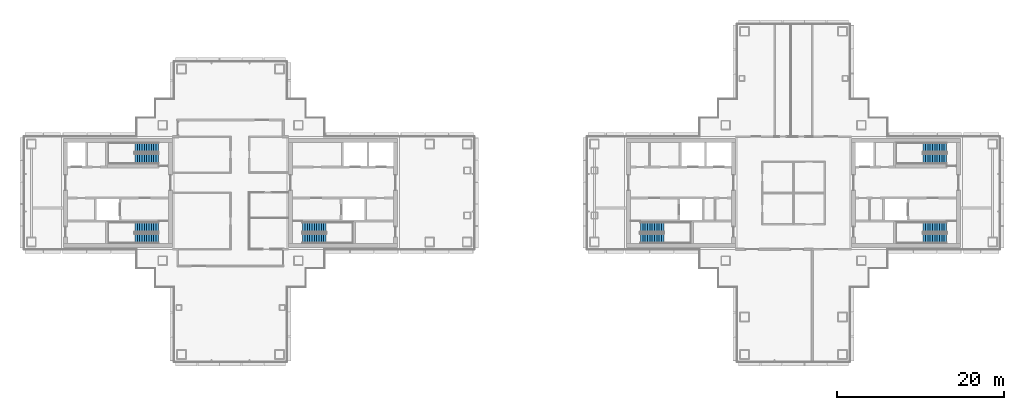
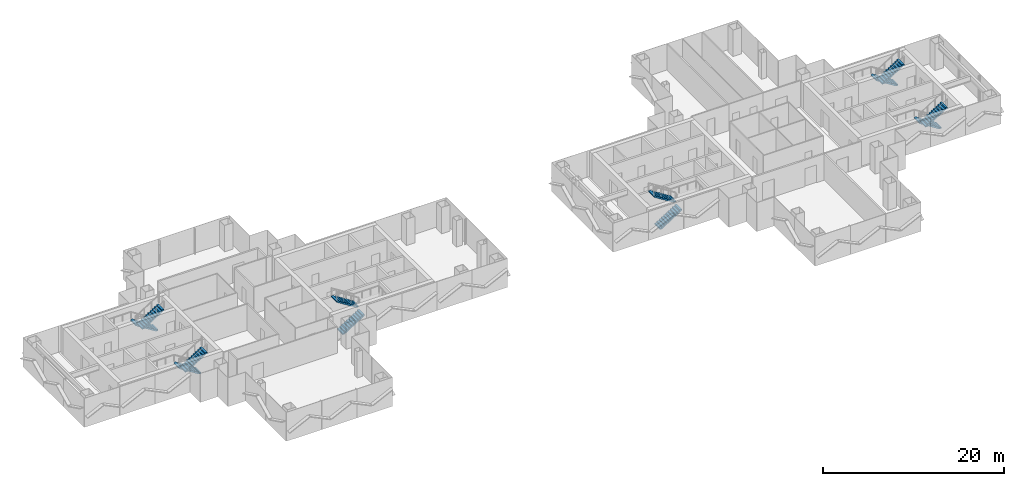
# One storey, part 13 of 16: 12 stair flights, 6 elements without a shape of their own.
"""IFC4 building model written with IfcOpenShell, lengths in metres."""

from ifc_helpers import new_model, si_unit, direction, frame, origin, place, context, subcontext, project, spatial, polyline, outline, extrude, material, type_object, element, aggregate, save


model = new_model("IFC4")

# Units and contexts
model_context = context("Model", 3, precision=1e-05, world=origin(), true_north=direction((0.0, 1.0)))
body_context = subcontext(model_context, "Body", "Model", "MODEL_VIEW")
ifc_project = project(units=[si_unit("LENGTHUNIT", "METRE"), si_unit("AREAUNIT", "SQUARE_METRE"), si_unit("VOLUMEUNIT", "CUBIC_METRE"), si_unit("PLANEANGLEUNIT", "RADIAN"), si_unit("MASSUNIT", "GRAM", prefix="KILO")], contexts=[model_context])

# Site, building, storey
site_placement = place(None, origin())
site = spatial("IfcSite", under=ifc_project, at=site_placement, CompositionType="ELEMENT")
building_placement = place(site_placement, origin())
building = spatial("IfcBuilding", under=site, at=building_placement, Name="Shamsa Quay Exchange Towers", CompositionType="ELEMENT")
storey_placement = place(building_placement, frame((0.0, 0.0, 146.699951171875)))
storey = spatial("IfcBuildingStorey", under=building, at=storey_placement, Name="L34", CompositionType="ELEMENT", Elevation=146.699951171875)

# Stair, stair flights
ifc_material = material(Name="Concrete C40/50", Category="concrete")
stair_type = type_object("IfcStairType", Name="EXIT STAIR 22 RISERS 177 MM", PredefinedType="HALF_TURN_STAIR", material=ifc_material)
stair_1_placement = place(storey_placement, origin())
stair_1 = element("IfcStair", 1, at=stair_1_placement, inside=storey, type_object=stair_type, Name="L34 Exit stair ST1", PredefinedType="HALF_TURN_STAIR")
stair_flight_type = type_object("IfcStairFlightType", Name="EXIT STAIR FLIGHT 11 RISERS 177 MM", PredefinedType="STRAIGHT", material=ifc_material)
stair_flight_1_placement = place(storey_placement, frame((-25.10009765625, -5.449951171875, 0.0)))
stair_flight_1 = element("IfcStairFlight", 2, at=stair_flight_1_placement, type_object=stair_flight_type, Name="ST1 flight 1", NumberOfRisers=11, NumberOfTreads=10, PredefinedType="STRAIGHT", RiserHeight=0.177272727, TreadLength=0.28, context=body_context, shape_type="SweptSolid", body=[
    extrude(outline(polyline([(0.0, 0.0), (0.0, 0.17724609375), (0.280029296875, 0.17724609375), (0.280029296875, 0.3544921875), (0.56005859375, 0.3544921875), (0.56005859375, 0.53173828125), (0.840087890625, 0.53173828125), (0.840087890625, 0.708984375), (1.1201171875, 0.708984375), (1.1201171875, 0.886474609375), (1.39990234375, 0.886474609375), (1.39990234375, 1.063720703125), (1.679931640625, 1.063720703125), (1.679931640625, 1.240966796875), (1.9599609375, 1.240966796875), (1.9599609375, 1.418212890625), (2.239990234375, 1.418212890625), (2.239990234375, 1.595458984375), (2.52001953125, 1.595458984375), (2.52001953125, 1.772705078125), (2.800048828125, 1.772705078125), (2.800048828125, 1.949951171875), (2.800048828125, 1.607177734375), (0.261474609375, 0.0), (0.0, 0.0)])), frame((0.0, 0.60009765625, 0.0), z_axis=(0.0, -1.0, 0.0), x_axis=(1.0, 0.0, 0.0)), (0.0, 0.0, 1.0), 1.199951171875),
])
stair_flight_2_placement = place(storey_placement, frame((-22.300048828125, -4.10009765625, 1.949951171875), z_axis=(0.0, 0.0, 1.0), x_axis=(-1.0, 0.0, 0.0)))
stair_flight_2 = element("IfcStairFlight", 3, at=stair_flight_2_placement, type_object=stair_flight_type, Name="ST1 flight 2", NumberOfRisers=11, NumberOfTreads=10, PredefinedType="STRAIGHT", RiserHeight=0.177272727, TreadLength=0.28, context=body_context, shape_type="SweptSolid", body=[
    extrude(outline(polyline([(0.0, 0.0), (0.0, 0.17724609375), (0.280029296875, 0.17724609375), (0.280029296875, 0.3544921875), (0.56005859375, 0.3544921875), (0.56005859375, 0.53173828125), (0.840087890625, 0.53173828125), (0.840087890625, 0.708984375), (1.1201171875, 0.708984375), (1.1201171875, 0.886474609375), (1.39990234375, 0.886474609375), (1.39990234375, 1.063720703125), (1.679931640625, 1.063720703125), (1.679931640625, 1.240966796875), (1.9599609375, 1.240966796875), (1.9599609375, 1.418212890625), (2.239990234375, 1.418212890625), (2.239990234375, 1.595458984375), (2.52001953125, 1.595458984375), (2.52001953125, 1.772705078125), (2.800048828125, 1.772705078125), (2.800048828125, 1.949951171875), (2.800048828125, 1.607177734375), (0.261474609375, 0.0), (0.0, 0.0)])), frame((0.0, 0.60009765625, 0.0), z_axis=(0.0, -1.0, 0.0), x_axis=(1.0, 0.0, 0.0)), (0.0, 0.0, 1.0), 1.199951171875),
])
aggregate(stair_1, [stair_flight_1, stair_flight_2])

stair_2_placement = place(storey_placement, origin())
stair_2 = element("IfcStair", 4, at=stair_2_placement, inside=storey, type_object=stair_type, Name="L34 Exit stair ST2", PredefinedType="HALF_TURN_STAIR")
stair_flight_3_placement = place(storey_placement, frame((-42.39990234375, -4.10009765625, 0.0), z_axis=(0.0, 0.0, 1.0), x_axis=(-1.0, 0.0, 0.0)))
stair_flight_3 = element("IfcStairFlight", 5, at=stair_flight_3_placement, type_object=stair_flight_type, Name="ST2 flight 1", NumberOfRisers=11, NumberOfTreads=10, PredefinedType="STRAIGHT", RiserHeight=0.177272727, TreadLength=0.28, context=body_context, shape_type="SweptSolid", body=[
    extrude(outline(polyline([(0.0, 0.0), (0.0, 0.17724609375), (0.280029296875, 0.17724609375), (0.280029296875, 0.3544921875), (0.56005859375, 0.3544921875), (0.56005859375, 0.53173828125), (0.840087890625, 0.53173828125), (0.840087890625, 0.708984375), (1.1201171875, 0.708984375), (1.1201171875, 0.886474609375), (1.39990234375, 0.886474609375), (1.39990234375, 1.063720703125), (1.679931640625, 1.063720703125), (1.679931640625, 1.240966796875), (1.9599609375, 1.240966796875), (1.9599609375, 1.418212890625), (2.239990234375, 1.418212890625), (2.239990234375, 1.595458984375), (2.52001953125, 1.595458984375), (2.52001953125, 1.772705078125), (2.800048828125, 1.772705078125), (2.800048828125, 1.949951171875), (2.800048828125, 1.607177734375), (0.261474609375, 0.0), (0.0, 0.0)])), frame((0.0, 0.60009765625, 0.0), z_axis=(0.0, -1.0, 0.0), x_axis=(1.0, 0.0, 0.0)), (0.0, 0.0, 1.0), 1.199951171875),
])
stair_flight_4_placement = place(storey_placement, frame((-45.199951171875, -5.449951171875, 1.949951171875)))
stair_flight_4 = element("IfcStairFlight", 6, at=stair_flight_4_placement, type_object=stair_flight_type, Name="ST2 flight 2", NumberOfRisers=11, NumberOfTreads=10, PredefinedType="STRAIGHT", RiserHeight=0.177272727, TreadLength=0.28, context=body_context, shape_type="SweptSolid", body=[
    extrude(outline(polyline([(0.0, 0.0), (0.0, 0.17724609375), (0.280029296875, 0.17724609375), (0.280029296875, 0.3544921875), (0.56005859375, 0.3544921875), (0.56005859375, 0.53173828125), (0.840087890625, 0.53173828125), (0.840087890625, 0.708984375), (1.1201171875, 0.708984375), (1.1201171875, 0.886474609375), (1.39990234375, 0.886474609375), (1.39990234375, 1.063720703125), (1.679931640625, 1.063720703125), (1.679931640625, 1.240966796875), (1.9599609375, 1.240966796875), (1.9599609375, 1.418212890625), (2.239990234375, 1.418212890625), (2.239990234375, 1.595458984375), (2.52001953125, 1.595458984375), (2.52001953125, 1.772705078125), (2.800048828125, 1.772705078125), (2.800048828125, 1.949951171875), (2.800048828125, 1.607177734375), (0.261474609375, 0.0), (0.0, 0.0)])), frame((0.0, 0.60009765625, 0.0), z_axis=(0.0, -1.0, 0.0), x_axis=(1.0, 0.0, 0.0)), (0.0, 0.0, 1.0), 1.199951171875),
])
aggregate(stair_2, [stair_flight_3, stair_flight_4])

stair_3_placement = place(storey_placement, origin())
stair_3 = element("IfcStair", 7, at=stair_3_placement, inside=storey, type_object=stair_type, Name="L34 Exit stair ST3", PredefinedType="HALF_TURN_STAIR")
stair_flight_5_placement = place(storey_placement, frame((-42.39990234375, 5.449951171875, 0.0), z_axis=(0.0, 0.0, 1.0), x_axis=(-1.0, 0.0, 0.0)))
stair_flight_5 = element("IfcStairFlight", 8, at=stair_flight_5_placement, type_object=stair_flight_type, Name="ST3 flight 1", NumberOfRisers=11, NumberOfTreads=10, PredefinedType="STRAIGHT", RiserHeight=0.177272727, TreadLength=0.28, context=body_context, shape_type="SweptSolid", body=[
    extrude(outline(polyline([(0.0, 0.0), (0.0, 0.17724609375), (0.280029296875, 0.17724609375), (0.280029296875, 0.3544921875), (0.56005859375, 0.3544921875), (0.56005859375, 0.53173828125), (0.840087890625, 0.53173828125), (0.840087890625, 0.708984375), (1.1201171875, 0.708984375), (1.1201171875, 0.886474609375), (1.39990234375, 0.886474609375), (1.39990234375, 1.063720703125), (1.679931640625, 1.063720703125), (1.679931640625, 1.240966796875), (1.9599609375, 1.240966796875), (1.9599609375, 1.418212890625), (2.239990234375, 1.418212890625), (2.239990234375, 1.595458984375), (2.52001953125, 1.595458984375), (2.52001953125, 1.772705078125), (2.800048828125, 1.772705078125), (2.800048828125, 1.949951171875), (2.800048828125, 1.607177734375), (0.261474609375, 0.0), (0.0, 0.0)])), frame((0.0, 0.60009765625, 0.0), z_axis=(0.0, -1.0, 0.0), x_axis=(1.0, 0.0, 0.0)), (0.0, 0.0, 1.0), 1.199951171875),
])
stair_flight_6_placement = place(storey_placement, frame((-45.199951171875, 4.10009765625, 1.949951171875)))
stair_flight_6 = element("IfcStairFlight", 9, at=stair_flight_6_placement, type_object=stair_flight_type, Name="ST3 flight 2", NumberOfRisers=11, NumberOfTreads=10, PredefinedType="STRAIGHT", RiserHeight=0.177272727, TreadLength=0.28, context=body_context, shape_type="SweptSolid", body=[
    extrude(outline(polyline([(0.0, 0.0), (0.0, 0.17724609375), (0.280029296875, 0.17724609375), (0.280029296875, 0.3544921875), (0.56005859375, 0.3544921875), (0.56005859375, 0.53173828125), (0.840087890625, 0.53173828125), (0.840087890625, 0.708984375), (1.1201171875, 0.708984375), (1.1201171875, 0.886474609375), (1.39990234375, 0.886474609375), (1.39990234375, 1.063720703125), (1.679931640625, 1.063720703125), (1.679931640625, 1.240966796875), (1.9599609375, 1.240966796875), (1.9599609375, 1.418212890625), (2.239990234375, 1.418212890625), (2.239990234375, 1.595458984375), (2.52001953125, 1.595458984375), (2.52001953125, 1.772705078125), (2.800048828125, 1.772705078125), (2.800048828125, 1.949951171875), (2.800048828125, 1.607177734375), (0.261474609375, 0.0), (0.0, 0.0)])), frame((0.0, 0.60009765625, 0.0), z_axis=(0.0, -1.0, 0.0), x_axis=(1.0, 0.0, 0.0)), (0.0, 0.0, 1.0), 1.199951171875),
])
aggregate(stair_3, [stair_flight_5, stair_flight_6])

stair_4_placement = place(storey_placement, origin())
stair_4 = element("IfcStair", 10, at=stair_4_placement, inside=storey, type_object=stair_type, Name="L34 Exit stair ST4", PredefinedType="HALF_TURN_STAIR")
stair_flight_7_placement = place(storey_placement, frame((15.39990234375, -5.449951171875, 0.0)))
stair_flight_7 = element("IfcStairFlight", 11, at=stair_flight_7_placement, type_object=stair_flight_type, Name="ST4 flight 1", NumberOfRisers=11, NumberOfTreads=10, PredefinedType="STRAIGHT", RiserHeight=0.177272727, TreadLength=0.28, context=body_context, shape_type="SweptSolid", body=[
    extrude(outline(polyline([(0.0, 0.0), (0.0, 0.17724609375), (0.280029296875, 0.17724609375), (0.280029296875, 0.3544921875), (0.56005859375, 0.3544921875), (0.56005859375, 0.53173828125), (0.840087890625, 0.53173828125), (0.840087890625, 0.708984375), (1.1201171875, 0.708984375), (1.1201171875, 0.886474609375), (1.39990234375, 0.886474609375), (1.39990234375, 1.063720703125), (1.679931640625, 1.063720703125), (1.679931640625, 1.240966796875), (1.9599609375, 1.240966796875), (1.9599609375, 1.418212890625), (2.239990234375, 1.418212890625), (2.239990234375, 1.595458984375), (2.52001953125, 1.595458984375), (2.52001953125, 1.772705078125), (2.800048828125, 1.772705078125), (2.800048828125, 1.949951171875), (2.800048828125, 1.607177734375), (0.261474609375, 0.0), (0.0, 0.0)])), frame((0.0, 0.60009765625, 0.0), z_axis=(0.0, -1.0, 0.0), x_axis=(1.0, 0.0, 0.0)), (0.0, 0.0, 1.0), 1.199951171875),
])
stair_flight_8_placement = place(storey_placement, frame((18.199951171875, -4.10009765625, 1.949951171875), z_axis=(0.0, 0.0, 1.0), x_axis=(-1.0, 0.0, 0.0)))
stair_flight_8 = element("IfcStairFlight", 12, at=stair_flight_8_placement, type_object=stair_flight_type, Name="ST4 flight 2", NumberOfRisers=11, NumberOfTreads=10, PredefinedType="STRAIGHT", RiserHeight=0.177272727, TreadLength=0.28, context=body_context, shape_type="SweptSolid", body=[
    extrude(outline(polyline([(0.0, 0.0), (0.0, 0.17724609375), (0.280029296875, 0.17724609375), (0.280029296875, 0.3544921875), (0.56005859375, 0.3544921875), (0.56005859375, 0.53173828125), (0.840087890625, 0.53173828125), (0.840087890625, 0.708984375), (1.1201171875, 0.708984375), (1.1201171875, 0.886474609375), (1.39990234375, 0.886474609375), (1.39990234375, 1.063720703125), (1.679931640625, 1.063720703125), (1.679931640625, 1.240966796875), (1.9599609375, 1.240966796875), (1.9599609375, 1.418212890625), (2.239990234375, 1.418212890625), (2.239990234375, 1.595458984375), (2.52001953125, 1.595458984375), (2.52001953125, 1.772705078125), (2.800048828125, 1.772705078125), (2.800048828125, 1.949951171875), (2.800048828125, 1.607177734375), (0.261474609375, 0.0), (0.0, 0.0)])), frame((0.0, 0.60009765625, 0.0), z_axis=(0.0, -1.0, 0.0), x_axis=(1.0, 0.0, 0.0)), (0.0, 0.0, 1.0), 1.199951171875),
])
aggregate(stair_4, [stair_flight_7, stair_flight_8])

stair_5_placement = place(storey_placement, origin())
stair_5 = element("IfcStair", 13, at=stair_5_placement, inside=storey, type_object=stair_type, Name="L34 Exit stair ST5", PredefinedType="HALF_TURN_STAIR")
stair_flight_9_placement = place(storey_placement, frame((52.10009765625, -4.10009765625, 0.0), z_axis=(0.0, 0.0, 1.0), x_axis=(-1.0, 0.0, 0.0)))
stair_flight_9 = element("IfcStairFlight", 14, at=stair_flight_9_placement, type_object=stair_flight_type, Name="ST5 flight 1", NumberOfRisers=11, NumberOfTreads=10, PredefinedType="STRAIGHT", RiserHeight=0.177272727, TreadLength=0.28, context=body_context, shape_type="SweptSolid", body=[
    extrude(outline(polyline([(0.0, 0.0), (0.0, 0.17724609375), (0.280029296875, 0.17724609375), (0.280029296875, 0.3544921875), (0.56005859375, 0.3544921875), (0.56005859375, 0.53173828125), (0.840087890625, 0.53173828125), (0.840087890625, 0.708984375), (1.1201171875, 0.708984375), (1.1201171875, 0.886474609375), (1.39990234375, 0.886474609375), (1.39990234375, 1.063720703125), (1.679931640625, 1.063720703125), (1.679931640625, 1.240966796875), (1.9599609375, 1.240966796875), (1.9599609375, 1.418212890625), (2.239990234375, 1.418212890625), (2.239990234375, 1.595458984375), (2.52001953125, 1.595458984375), (2.52001953125, 1.772705078125), (2.800048828125, 1.772705078125), (2.800048828125, 1.949951171875), (2.800048828125, 1.607177734375), (0.261474609375, 0.0), (0.0, 0.0)])), frame((0.0, 0.60009765625, 0.0), z_axis=(0.0, -1.0, 0.0), x_axis=(1.0, 0.0, 0.0)), (0.0, 0.0, 1.0), 1.199951171875),
])
stair_flight_10_placement = place(storey_placement, frame((49.300048828125, -5.449951171875, 1.949951171875)))
stair_flight_10 = element("IfcStairFlight", 15, at=stair_flight_10_placement, type_object=stair_flight_type, Name="ST5 flight 2", NumberOfRisers=11, NumberOfTreads=10, PredefinedType="STRAIGHT", RiserHeight=0.177272727, TreadLength=0.28, context=body_context, shape_type="SweptSolid", body=[
    extrude(outline(polyline([(0.0, 0.0), (0.0, 0.17724609375), (0.280029296875, 0.17724609375), (0.280029296875, 0.3544921875), (0.56005859375, 0.3544921875), (0.56005859375, 0.53173828125), (0.840087890625, 0.53173828125), (0.840087890625, 0.708984375), (1.1201171875, 0.708984375), (1.1201171875, 0.886474609375), (1.39990234375, 0.886474609375), (1.39990234375, 1.063720703125), (1.679931640625, 1.063720703125), (1.679931640625, 1.240966796875), (1.9599609375, 1.240966796875), (1.9599609375, 1.418212890625), (2.239990234375, 1.418212890625), (2.239990234375, 1.595458984375), (2.52001953125, 1.595458984375), (2.52001953125, 1.772705078125), (2.800048828125, 1.772705078125), (2.800048828125, 1.949951171875), (2.800048828125, 1.607177734375), (0.261474609375, 0.0), (0.0, 0.0)])), frame((0.0, 0.60009765625, 0.0), z_axis=(0.0, -1.0, 0.0), x_axis=(1.0, 0.0, 0.0)), (0.0, 0.0, 1.0), 1.199951171875),
])
aggregate(stair_5, [stair_flight_9, stair_flight_10])

stair_6_placement = place(storey_placement, origin())
stair_6 = element("IfcStair", 16, at=stair_6_placement, inside=storey, type_object=stair_type, Name="L34 Exit stair ST6", PredefinedType="HALF_TURN_STAIR")
stair_flight_11_placement = place(storey_placement, frame((52.10009765625, 5.449951171875, 0.0), z_axis=(0.0, 0.0, 1.0), x_axis=(-1.0, 0.0, 0.0)))
stair_flight_11 = element("IfcStairFlight", 17, at=stair_flight_11_placement, type_object=stair_flight_type, Name="ST6 flight 1", NumberOfRisers=11, NumberOfTreads=10, PredefinedType="STRAIGHT", RiserHeight=0.177272727, TreadLength=0.28, context=body_context, shape_type="SweptSolid", body=[
    extrude(outline(polyline([(0.0, 0.0), (0.0, 0.17724609375), (0.280029296875, 0.17724609375), (0.280029296875, 0.3544921875), (0.56005859375, 0.3544921875), (0.56005859375, 0.53173828125), (0.840087890625, 0.53173828125), (0.840087890625, 0.708984375), (1.1201171875, 0.708984375), (1.1201171875, 0.886474609375), (1.39990234375, 0.886474609375), (1.39990234375, 1.063720703125), (1.679931640625, 1.063720703125), (1.679931640625, 1.240966796875), (1.9599609375, 1.240966796875), (1.9599609375, 1.418212890625), (2.239990234375, 1.418212890625), (2.239990234375, 1.595458984375), (2.52001953125, 1.595458984375), (2.52001953125, 1.772705078125), (2.800048828125, 1.772705078125), (2.800048828125, 1.949951171875), (2.800048828125, 1.607177734375), (0.261474609375, 0.0), (0.0, 0.0)])), frame((0.0, 0.60009765625, 0.0), z_axis=(0.0, -1.0, 0.0), x_axis=(1.0, 0.0, 0.0)), (0.0, 0.0, 1.0), 1.199951171875),
])
stair_flight_12_placement = place(storey_placement, frame((49.300048828125, 4.10009765625, 1.949951171875)))
stair_flight_12 = element("IfcStairFlight", 18, at=stair_flight_12_placement, type_object=stair_flight_type, Name="ST6 flight 2", NumberOfRisers=11, NumberOfTreads=10, PredefinedType="STRAIGHT", RiserHeight=0.177272727, TreadLength=0.28, context=body_context, shape_type="SweptSolid", body=[
    extrude(outline(polyline([(0.0, 0.0), (0.0, 0.17724609375), (0.280029296875, 0.17724609375), (0.280029296875, 0.3544921875), (0.56005859375, 0.3544921875), (0.56005859375, 0.53173828125), (0.840087890625, 0.53173828125), (0.840087890625, 0.708984375), (1.1201171875, 0.708984375), (1.1201171875, 0.886474609375), (1.39990234375, 0.886474609375), (1.39990234375, 1.063720703125), (1.679931640625, 1.063720703125), (1.679931640625, 1.240966796875), (1.9599609375, 1.240966796875), (1.9599609375, 1.418212890625), (2.239990234375, 1.418212890625), (2.239990234375, 1.595458984375), (2.52001953125, 1.595458984375), (2.52001953125, 1.772705078125), (2.800048828125, 1.772705078125), (2.800048828125, 1.949951171875), (2.800048828125, 1.607177734375), (0.261474609375, 0.0), (0.0, 0.0)])), frame((0.0, 0.60009765625, 0.0), z_axis=(0.0, -1.0, 0.0), x_axis=(1.0, 0.0, 0.0)), (0.0, 0.0, 1.0), 1.199951171875),
])
aggregate(stair_6, [stair_flight_11, stair_flight_12])

save(model, "model.ifc")
